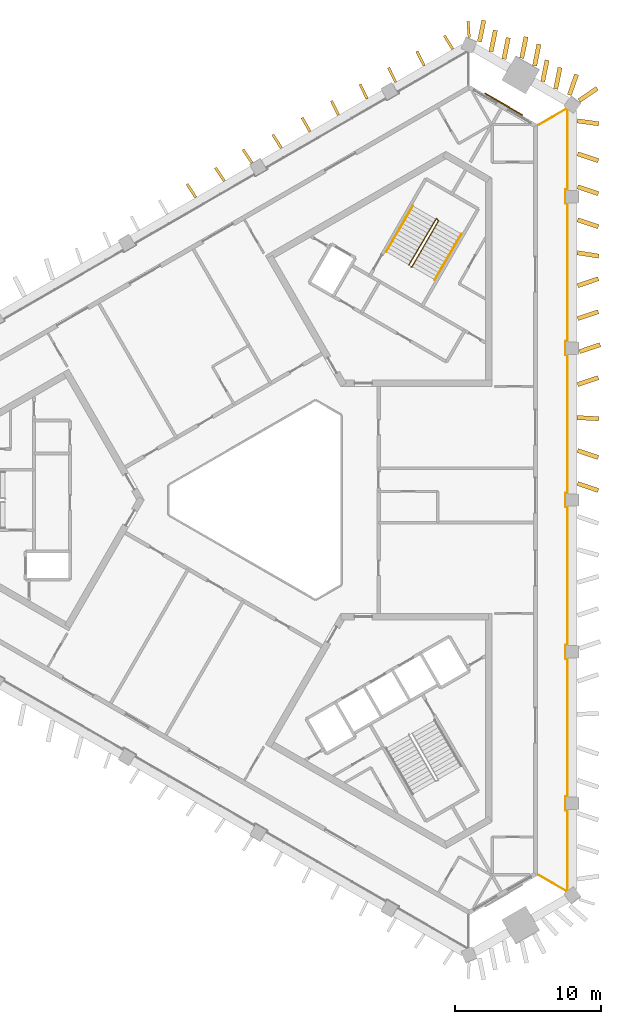
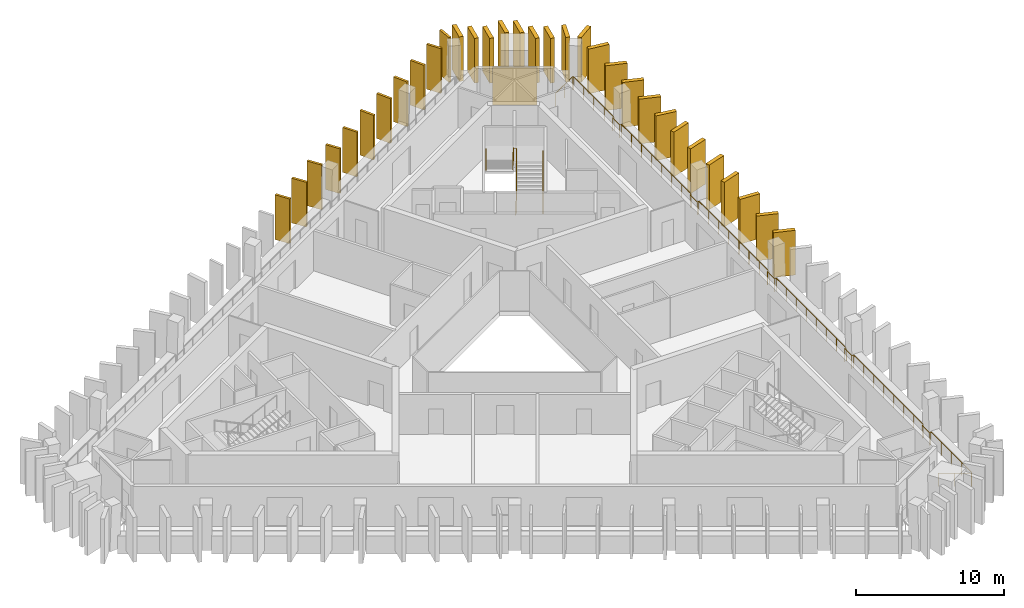
# One storey, part 9 of 9: 32 shading devices, 4 railings, 1 covering.
"""IFC4 building model written with IfcOpenShell, lengths in metres."""

from ifc_helpers import new_model, si_unit, direction, frame, frame_2d, origin, origin_2d, place, context, subcontext, project, spatial, rectangle, circle, extrude, material, layer, layer_set, type_object, element, save


model = new_model("IFC4")

# Units and contexts
model_context = context("Model", 3, precision=1e-05, world=origin(), true_north=direction((0.0, 1.0)))
body_context = subcontext(model_context, "Body", "Model", "MODEL_VIEW")
ifc_project = project(units=[si_unit("LENGTHUNIT", "METRE"), si_unit("AREAUNIT", "SQUARE_METRE"), si_unit("VOLUMEUNIT", "CUBIC_METRE"), si_unit("PLANEANGLEUNIT", "RADIAN"), si_unit("MASSUNIT", "GRAM", prefix="KILO")], contexts=[model_context])

# Site, building, storey
site_placement = place(None, origin())
site = spatial("IfcSite", under=ifc_project, at=site_placement, CompositionType="ELEMENT")
building_placement = place(site_placement, origin())
building = spatial("IfcBuilding", under=site, at=building_placement, Name="Jabali Bay Hotel Tower and Convention Centre", CompositionType="ELEMENT")
storey_placement = place(building_placement, frame((0.0, 0.0, 209.5)))
storey = spatial("IfcBuildingStorey", under=building, at=storey_placement, Name="L51", CompositionType="ELEMENT", Elevation=209.5)

# Railing
ifc_material_1 = material(Name="Glass", Category="glass")
railing_type_1 = type_object("IfcRailingType", Name="Loggia glass guard 1100", PredefinedType="BALUSTRADE", material=ifc_material_1)
railing_1_placement = place(storey_placement, frame((93.076171875, 105.760986328125, 0.0)))
element("IfcRailing", 1, at=railing_1_placement, inside=storey, type_object=railing_type_1, Name="Loggia glass guard L51", PredefinedType="BALUSTRADE", context=body_context, shape_type="SweptSolid", body=[
    extrude(circle(Radius=0.02490234375, at=origin_2d()), frame((0.0, 0.0, 1.0751953125), z_axis=(0.866055336752, 0.499948150995, 0.0), x_axis=(-0.495671025257, 0.858646113288, 0.13052619222)), (0.0, 0.0, 1.0), 2.247314453125),
    extrude(circle(Radius=0.02490234375, at=origin_2d()), frame((1.9462890625, 1.12353515625, 1.0751953125), z_axis=(0.8, -0.6, 0.0), x_axis=(0.594866916824, 0.793155889099, 0.13052619222)), (0.0, 0.0, 1.0), 0.067138671875),
    extrude(circle(Radius=0.02490234375, at=origin_2d()), frame((2.0, 1.083251953125, 1.0751953125), z_axis=(0.0, -1.0, 0.0), x_axis=(0.991444861374, 0.0, 0.13052619222)), (0.0, 0.0, 1.0), 5.517822265625),
    extrude(circle(Radius=0.02490234375, at=origin_2d()), frame((2.0, -4.4345703125, 1.0751953125), z_axis=(-1.0, 0.0, 0.0), x_axis=(0.0, -0.991444861374, 0.13052619222)), (0.0, 0.0, 1.0), 0.125),
    extrude(circle(Radius=0.02490234375, at=origin_2d()), frame((1.875, -4.4345703125, 1.0751953125), z_axis=(0.0, -1.0, 0.0), x_axis=(0.991444861374, 0.0, 0.13052619222)), (0.0, 0.0, 1.0), 0.949951171875),
    extrude(circle(Radius=0.02490234375, at=origin_2d()), frame((1.875, -5.384521484375, 1.0751953125), z_axis=(1.0, 0.0, 0.0), x_axis=(0.0, 0.991444861374, 0.13052619222)), (0.0, 0.0, 1.0), 0.125),
    extrude(circle(Radius=0.02490234375, at=origin_2d()), frame((2.0, -5.384521484375, 1.0751953125), z_axis=(0.0, -1.0, 0.0), x_axis=(0.991444861374, 0.0, 0.13052619222)), (0.0, 0.0, 1.0), 9.475830078125),
    extrude(circle(Radius=0.02490234375, at=origin_2d()), frame((2.0, -14.8603515625, 1.0751953125), z_axis=(-1.0, 0.0, 0.0), x_axis=(0.0, -0.991444861374, 0.13052619222)), (0.0, 0.0, 1.0), 0.125),
    extrude(circle(Radius=0.02490234375, at=origin_2d()), frame((1.875, -14.8603515625, 1.0751953125), z_axis=(0.0, -1.0, 0.0), x_axis=(0.991444861374, 0.0, 0.13052619222)), (0.0, 0.0, 1.0), 0.949951171875),
    extrude(circle(Radius=0.02490234375, at=origin_2d()), frame((1.875, -15.810302734375, 1.0751953125), z_axis=(1.0, 0.0, 0.0), x_axis=(0.0, 0.991444861374, 0.13052619222)), (0.0, 0.0, 1.0), 0.125),
    extrude(circle(Radius=0.02490234375, at=origin_2d()), frame((2.0, -15.810302734375, 1.0751953125), z_axis=(0.0, -1.0, 0.0), x_axis=(0.991444861374, 0.0, 0.13052619222)), (0.0, 0.0, 1.0), 9.4755859375),
    extrude(circle(Radius=0.02490234375, at=origin_2d()), frame((2.0, -25.285888671875, 1.0751953125), z_axis=(-1.0, 0.0, 0.0), x_axis=(0.0, -0.991444861374, 0.13052619222)), (0.0, 0.0, 1.0), 0.125),
    extrude(circle(Radius=0.02490234375, at=origin_2d()), frame((1.875, -25.285888671875, 1.0751953125), z_axis=(0.0, -1.0, 0.0), x_axis=(0.991444861374, 0.0, 0.13052619222)), (0.0, 0.0, 1.0), 0.9501953125),
    extrude(circle(Radius=0.02490234375, at=origin_2d()), frame((1.875, -26.236083984375, 1.0751953125), z_axis=(1.0, 0.0, 0.0), x_axis=(0.0, 0.991444861374, 0.13052619222)), (0.0, 0.0, 1.0), 0.125),
    extrude(circle(Radius=0.02490234375, at=origin_2d()), frame((2.0, -26.236083984375, 1.0751953125), z_axis=(0.0, -1.0, 0.0), x_axis=(0.991444861374, 0.0, 0.13052619222)), (0.0, 0.0, 1.0), 9.4755859375),
    extrude(circle(Radius=0.02490234375, at=origin_2d()), frame((2.0, -35.711669921875, 1.0751953125), z_axis=(-1.0, 0.0, 0.0), x_axis=(0.0, -0.991444861374, 0.13052619222)), (0.0, 0.0, 1.0), 0.125),
    extrude(circle(Radius=0.02490234375, at=origin_2d()), frame((1.875, -35.711669921875, 1.0751953125), z_axis=(0.0, -1.0, 0.0), x_axis=(0.991444861374, 0.0, 0.13052619222)), (0.0, 0.0, 1.0), 0.949951171875),
    extrude(circle(Radius=0.02490234375, at=origin_2d()), frame((1.875, -36.66162109375, 1.0751953125), z_axis=(1.0, 0.0, 0.0), x_axis=(0.0, 0.991444861374, 0.13052619222)), (0.0, 0.0, 1.0), 0.125),
    extrude(circle(Radius=0.02490234375, at=origin_2d()), frame((2.0, -36.66162109375, 1.0751953125), z_axis=(0.0, -1.0, 0.0), x_axis=(0.991444861374, 0.0, 0.13052619222)), (0.0, 0.0, 1.0), 9.475830078125),
    extrude(circle(Radius=0.02490234375, at=origin_2d()), frame((2.0, -46.137451171875, 1.0751953125), z_axis=(-1.0, 0.0, 0.0), x_axis=(0.0, -0.991444861374, 0.13052619222)), (0.0, 0.0, 1.0), 0.125),
    extrude(circle(Radius=0.02490234375, at=origin_2d()), frame((1.875, -46.137451171875, 1.0751953125), z_axis=(0.0, -1.0, 0.0), x_axis=(0.991444861374, 0.0, 0.13052619222)), (0.0, 0.0, 1.0), 0.949951171875),
    extrude(circle(Radius=0.02490234375, at=origin_2d()), frame((1.875, -47.08740234375, 1.0751953125), z_axis=(1.0, 0.0, 0.0), x_axis=(0.0, 0.991444861374, 0.13052619222)), (0.0, 0.0, 1.0), 0.125),
    extrude(circle(Radius=0.02490234375, at=origin_2d()), frame((2.0, -47.08740234375, 1.0751953125), z_axis=(0.0, -1.0, 0.0), x_axis=(0.991444861374, 0.0, 0.13052619222)), (0.0, 0.0, 1.0), 5.517822265625),
    extrude(circle(Radius=0.02490234375, at=origin_2d()), frame((2.0, -52.605224609375, 1.0751953125), z_axis=(-0.8, -0.6, 0.0), x_axis=(0.594866916824, -0.793155889099, 0.13052619222)), (0.0, 0.0, 1.0), 0.067138671875),
    extrude(circle(Radius=0.02490234375, at=origin_2d()), frame((1.9462890625, -52.6455078125, 1.0751953125), z_axis=(-0.866055336752, 0.499948150995, 0.0), x_axis=(-0.495671025257, -0.858646113288, 0.13052619222)), (0.0, 0.0, 1.0), 2.247314453125),
    extrude(circle(Radius=0.02001953125, at=origin_2d()), origin(), (0.0, 0.0, 1.0), 1.050048828125),
    extrude(circle(Radius=0.02001953125, at=origin_2d()), frame((0.97314453125, 0.561767578125, 0.0)), (0.0, 0.0, 1.0), 1.050048828125),
    extrude(circle(Radius=0.02001953125, at=origin_2d()), frame((1.9462890625, 1.12353515625, 0.0)), (0.0, 0.0, 1.0), 1.050048828125),
    extrude(circle(Radius=0.02001953125, at=origin_2d()), frame((2.0, 1.083251953125, 0.0)), (0.0, 0.0, 1.0), 1.050048828125),
    extrude(circle(Radius=0.02001953125, at=origin_2d()), frame((2.0, -0.296142578125, 0.0)), (0.0, 0.0, 1.0), 1.050048828125),
    extrude(circle(Radius=0.02001953125, at=origin_2d()), frame((2.0, -1.67578125, 0.0)), (0.0, 0.0, 1.0), 1.050048828125),
    extrude(circle(Radius=0.02001953125, at=origin_2d()), frame((2.0, -3.05517578125, 0.0)), (0.0, 0.0, 1.0), 1.050048828125),
    extrude(circle(Radius=0.02001953125, at=origin_2d()), frame((2.0, -4.4345703125, 0.0)), (0.0, 0.0, 1.0), 1.050048828125),
    extrude(circle(Radius=0.02001953125, at=origin_2d()), frame((1.875, -4.4345703125, 0.0)), (0.0, 0.0, 1.0), 1.050048828125),
    extrude(circle(Radius=0.02001953125, at=origin_2d()), frame((1.875, -5.384521484375, 0.0)), (0.0, 0.0, 1.0), 1.050048828125),
    extrude(circle(Radius=0.02001953125, at=origin_2d()), frame((2.0, -5.384521484375, 0.0)), (0.0, 0.0, 1.0), 1.050048828125),
    extrude(circle(Radius=0.02001953125, at=origin_2d()), frame((2.0, -6.73828125, 0.0)), (0.0, 0.0, 1.0), 1.050048828125),
    extrude(circle(Radius=0.02001953125, at=origin_2d()), frame((2.0, -8.091796875, 0.0)), (0.0, 0.0, 1.0), 1.050048828125),
    extrude(circle(Radius=0.02001953125, at=origin_2d()), frame((2.0, -9.445556640625, 0.0)), (0.0, 0.0, 1.0), 1.050048828125),
    extrude(circle(Radius=0.02001953125, at=origin_2d()), frame((2.0, -10.79931640625, 0.0)), (0.0, 0.0, 1.0), 1.050048828125),
    extrude(circle(Radius=0.02001953125, at=origin_2d()), frame((2.0, -12.153076171875, 0.0)), (0.0, 0.0, 1.0), 1.050048828125),
    extrude(circle(Radius=0.02001953125, at=origin_2d()), frame((2.0, -13.506591796875, 0.0)), (0.0, 0.0, 1.0), 1.050048828125),
    extrude(circle(Radius=0.02001953125, at=origin_2d()), frame((2.0, -14.8603515625, 0.0)), (0.0, 0.0, 1.0), 1.050048828125),
    extrude(circle(Radius=0.02001953125, at=origin_2d()), frame((1.875, -14.8603515625, 0.0)), (0.0, 0.0, 1.0), 1.050048828125),
    extrude(circle(Radius=0.02001953125, at=origin_2d()), frame((1.875, -15.810302734375, 0.0)), (0.0, 0.0, 1.0), 1.050048828125),
    extrude(circle(Radius=0.02001953125, at=origin_2d()), frame((2.0, -15.810302734375, 0.0)), (0.0, 0.0, 1.0), 1.050048828125),
    extrude(circle(Radius=0.02001953125, at=origin_2d()), frame((2.0, -17.1640625, 0.0)), (0.0, 0.0, 1.0), 1.050048828125),
    extrude(circle(Radius=0.02001953125, at=origin_2d()), frame((2.0, -18.517578125, 0.0)), (0.0, 0.0, 1.0), 1.050048828125),
    extrude(circle(Radius=0.02001953125, at=origin_2d()), frame((2.0, -19.871337890625, 0.0)), (0.0, 0.0, 1.0), 1.050048828125),
    extrude(circle(Radius=0.02001953125, at=origin_2d()), frame((2.0, -21.224853515625, 0.0)), (0.0, 0.0, 1.0), 1.050048828125),
    extrude(circle(Radius=0.02001953125, at=origin_2d()), frame((2.0, -22.57861328125, 0.0)), (0.0, 0.0, 1.0), 1.050048828125),
    extrude(circle(Radius=0.02001953125, at=origin_2d()), frame((2.0, -23.93212890625, 0.0)), (0.0, 0.0, 1.0), 1.050048828125),
    extrude(circle(Radius=0.02001953125, at=origin_2d()), frame((2.0, -25.285888671875, 0.0)), (0.0, 0.0, 1.0), 1.050048828125),
    extrude(circle(Radius=0.02001953125, at=origin_2d()), frame((1.875, -25.285888671875, 0.0)), (0.0, 0.0, 1.0), 1.050048828125),
    extrude(circle(Radius=0.02001953125, at=origin_2d()), frame((1.875, -26.236083984375, 0.0)), (0.0, 0.0, 1.0), 1.050048828125),
    extrude(circle(Radius=0.02001953125, at=origin_2d()), frame((2.0, -26.236083984375, 0.0)), (0.0, 0.0, 1.0), 1.050048828125),
    extrude(circle(Radius=0.02001953125, at=origin_2d()), frame((2.0, -27.58984375, 0.0)), (0.0, 0.0, 1.0), 1.050048828125),
    extrude(circle(Radius=0.02001953125, at=origin_2d()), frame((2.0, -28.943359375, 0.0)), (0.0, 0.0, 1.0), 1.050048828125),
    extrude(circle(Radius=0.02001953125, at=origin_2d()), frame((2.0, -30.297119140625, 0.0)), (0.0, 0.0, 1.0), 1.050048828125),
    extrude(circle(Radius=0.02001953125, at=origin_2d()), frame((2.0, -31.650634765625, 0.0)), (0.0, 0.0, 1.0), 1.050048828125),
    extrude(circle(Radius=0.02001953125, at=origin_2d()), frame((2.0, -33.00439453125, 0.0)), (0.0, 0.0, 1.0), 1.050048828125),
    extrude(circle(Radius=0.02001953125, at=origin_2d()), frame((2.0, -34.35791015625, 0.0)), (0.0, 0.0, 1.0), 1.050048828125),
    extrude(circle(Radius=0.02001953125, at=origin_2d()), frame((2.0, -35.711669921875, 0.0)), (0.0, 0.0, 1.0), 1.050048828125),
    extrude(circle(Radius=0.02001953125, at=origin_2d()), frame((1.875, -35.711669921875, 0.0)), (0.0, 0.0, 1.0), 1.050048828125),
    extrude(circle(Radius=0.02001953125, at=origin_2d()), frame((1.875, -36.66162109375, 0.0)), (0.0, 0.0, 1.0), 1.050048828125),
    extrude(circle(Radius=0.02001953125, at=origin_2d()), frame((2.0, -36.66162109375, 0.0)), (0.0, 0.0, 1.0), 1.050048828125),
    extrude(circle(Radius=0.02001953125, at=origin_2d()), frame((2.0, -38.015380859375, 0.0)), (0.0, 0.0, 1.0), 1.050048828125),
    extrude(circle(Radius=0.02001953125, at=origin_2d()), frame((2.0, -39.368896484375, 0.0)), (0.0, 0.0, 1.0), 1.050048828125),
    extrude(circle(Radius=0.02001953125, at=origin_2d()), frame((2.0, -40.72265625, 0.0)), (0.0, 0.0, 1.0), 1.050048828125),
    extrude(circle(Radius=0.02001953125, at=origin_2d()), frame((2.0, -42.076416015625, 0.0)), (0.0, 0.0, 1.0), 1.050048828125),
    extrude(circle(Radius=0.02001953125, at=origin_2d()), frame((2.0, -43.43017578125, 0.0)), (0.0, 0.0, 1.0), 1.050048828125),
    extrude(circle(Radius=0.02001953125, at=origin_2d()), frame((2.0, -44.78369140625, 0.0)), (0.0, 0.0, 1.0), 1.050048828125),
    extrude(circle(Radius=0.02001953125, at=origin_2d()), frame((2.0, -46.137451171875, 0.0)), (0.0, 0.0, 1.0), 1.050048828125),
    extrude(circle(Radius=0.02001953125, at=origin_2d()), frame((1.875, -46.137451171875, 0.0)), (0.0, 0.0, 1.0), 1.050048828125),
    extrude(circle(Radius=0.02001953125, at=origin_2d()), frame((1.875, -47.08740234375, 0.0)), (0.0, 0.0, 1.0), 1.050048828125),
    extrude(circle(Radius=0.02001953125, at=origin_2d()), frame((2.0, -47.08740234375, 0.0)), (0.0, 0.0, 1.0), 1.050048828125),
    extrude(circle(Radius=0.02001953125, at=origin_2d()), frame((2.0, -48.466796875, 0.0)), (0.0, 0.0, 1.0), 1.050048828125),
    extrude(circle(Radius=0.02001953125, at=origin_2d()), frame((2.0, -49.84619140625, 0.0)), (0.0, 0.0, 1.0), 1.050048828125),
    extrude(circle(Radius=0.02001953125, at=origin_2d()), frame((2.0, -51.225830078125, 0.0)), (0.0, 0.0, 1.0), 1.050048828125),
    extrude(circle(Radius=0.02001953125, at=origin_2d()), frame((2.0, -52.605224609375, 0.0)), (0.0, 0.0, 1.0), 1.050048828125),
    extrude(circle(Radius=0.02001953125, at=origin_2d()), frame((1.9462890625, -52.6455078125, 0.0)), (0.0, 0.0, 1.0), 1.050048828125),
    extrude(circle(Radius=0.02001953125, at=origin_2d()), frame((0.97314453125, -52.083740234375, 0.0)), (0.0, 0.0, 1.0), 1.050048828125),
    extrude(circle(Radius=0.02001953125, at=origin_2d()), frame((0.0, -51.52197265625, 0.0)), (0.0, 0.0, 1.0), 1.050048828125),
])

# Shading devices
ifc_material_2 = material(Name="Precast concrete C60", Category="concrete")
ifc_layer_1 = layer(ifc_material_2, 0.179931640625)
ifc_layer_set_1 = layer_set([ifc_layer_1], Name="Precast concrete C60")
shading_device_type_1 = type_object("IfcShadingDeviceType", Name="Precast fin 3680 x 1100", PredefinedType="USERDEFINED", material=ifc_layer_set_1)
for number, where, z_axis, x_axis, name in (
    (2, (87.193359375, 110.966796875, 0.010009765625), (0.0, 0.0, 1.0), (-0.526942875505, 0.849900703585, 0.0), "Fin L51 032"),
    (3, (85.231201171875, 109.8359375, 0.010009765625), (0.0, 0.0, 1.0), (-0.456600533863, 0.889671822908, 0.0), "Fin L51 033"),
):
    element("IfcShadingDevice", number, at=place(storey_placement, frame(where, z_axis=z_axis, x_axis=x_axis)), inside=storey, type_object=shading_device_type_1, Name=name, ObjectType="FIN", PredefinedType="USERDEFINED", context=body_context, shape_type="SweptSolid", body=[
        extrude(rectangle(XDim=1.099853515625, YDim=0.179931640625, at=frame_2d((0.5498046875, 0.0))), origin(), (0.0, 0.0, 1.0), 3.679931640625),
    ])
for number, where, z_axis, x_axis, name in (
    (4, (83.269287109375, 108.704833984375, 0.010009765625), (0.0, 0.0, 1.0), (-0.441879146179, 0.897074590083, 0.0), "Fin L51 034"),
    (5, (81.30810546875, 107.572509765625, 0.010009765625), (0.0, 0.0, 1.0), (-0.442324275547, 0.896855191914, 0.0), "Fin L51 035"),
):
    element("IfcShadingDevice", number, at=place(storey_placement, frame(where, z_axis=z_axis, x_axis=x_axis)), inside=storey, type_object=shading_device_type_1, Name=name, ObjectType="FIN", PredefinedType="USERDEFINED", context=body_context, shape_type="SweptSolid", body=[
        extrude(rectangle(XDim=1.10009765625, YDim=0.179931640625, at=frame_2d((0.550048828125, 0.0))), origin(), (0.0, 0.0, 1.0), 3.679931640625),
    ])
for number, where, z_axis, x_axis, name in (
    (6, (79.346923828125, 106.440185546875, 0.010009765625), (0.0, 0.0, 1.0), (-0.442590842644, 0.896723673161, 0.0), "Fin L51 036"),
    (7, (77.38818359375, 105.303466796875, 0.010009765625), (0.0, 0.0, 1.0), (-0.492788525211, 0.870149107579, 0.0), "Fin L51 037"),
):
    element("IfcShadingDevice", number, at=place(storey_placement, frame(where, z_axis=z_axis, x_axis=x_axis)), inside=storey, type_object=shading_device_type_1, Name=name, ObjectType="FIN", PredefinedType="USERDEFINED", context=body_context, shape_type="SweptSolid", body=[
        extrude(rectangle(XDim=1.099853515625, YDim=0.179931640625, at=frame_2d((0.5498046875, 0.0))), origin(), (0.0, 0.0, 1.0), 3.679931640625),
    ])
for number, where, z_axis, x_axis, name in (
    (8, (75.42529296875, 104.17431640625, 0.010009765625), (0.0, 0.0, 1.0), (-0.54302122595, 0.839718969756, 0.0), "Fin L51 038"),
    (9, (73.39697265625, 103.157958984375, 0.010009765625), (0.0, 0.0, 1.0), (-0.555468147734, 0.831537814446, 0.0), "Fin L51 039"),
    (10, (71.501953125, 101.910888671875, 0.010009765625), (0.0, 0.0, 1.0), (-0.555724089154, 0.831366788327, 0.0), "Fin L51 040"),
    (11, (69.54150390625, 100.777587890625, 0.010009765625), (0.0, 0.0, 1.0), (-0.545035151824, 0.838413193644, 0.0), "Fin L51 041"),
):
    element("IfcShadingDevice", number, at=place(storey_placement, frame(where, z_axis=z_axis, x_axis=x_axis)), inside=storey, type_object=shading_device_type_1, Name=name, ObjectType="FIN", PredefinedType="USERDEFINED", context=body_context, shape_type="SweptSolid", body=[
        extrude(rectangle(XDim=1.10009765625, YDim=0.179931640625, at=frame_2d((0.550048828125, 0.0))), origin(), (0.0, 0.0, 1.0), 3.679931640625),
    ])
shading_device_1_placement = place(storey_placement, frame((88.321533203125, 111.783935546875, 0.010009765625), z_axis=(0.0, 0.0, 1.0), x_axis=(-0.074812023464, 0.997197654001, 0.0)))
element("IfcShadingDevice", 12, at=shading_device_1_placement, inside=storey, type_object=shading_device_type_1, Name="Fin L51 098", ObjectType="FIN", PredefinedType="USERDEFINED", context=body_context, shape_type="SweptSolid", body=[
    extrude(rectangle(XDim=1.099853515625, YDim=0.179931640625, at=frame_2d((0.5498046875, 0.0))), origin(), (0.0, 0.0, 1.0), 3.679931640625),
])
ifc_layer_2 = layer(ifc_material_2, 0.300048828125)
ifc_layer_set_2 = layer_set([ifc_layer_2], Name="Precast concrete C60")
shading_device_type_2 = type_object("IfcShadingDeviceType", Name="Precast fin 3680 x 1500", PredefinedType="USERDEFINED", material=ifc_layer_set_2)
for number, where, z_axis, x_axis, name in (
    (13, (95.76611328125, 81.13232421875, 0.010009765625), (0.0, 0.0, 1.0), (0.947981177855, -0.3183263835, 0.0), "Fin L51 012"),
    (14, (95.76611328125, 83.39697265625, 0.010009765625), (0.0, 0.0, 1.0), (0.947981177855, -0.3183263835, 0.0), "Fin L51 013"),
):
    element("IfcShadingDevice", number, at=place(storey_placement, frame(where, z_axis=z_axis, x_axis=x_axis)), inside=storey, type_object=shading_device_type_2, Name=name, ObjectType="FIN", PredefinedType="USERDEFINED", context=body_context, shape_type="SweptSolid", body=[
        extrude(rectangle(XDim=1.500244140625, YDim=0.300048828125, at=frame_2d((0.75, 0.0))), origin(), (0.0, 0.0, 1.0), 3.679931640625),
    ])
for number, where, z_axis, x_axis, name in (
    (15, (95.7265625, 85.66162109375, 0.010009765625), (0.0, 0.0, 1.0), (0.998530156832, -0.054198947388, 0.0), "Fin L51 014"),
    (16, (95.76611328125, 87.92626953125, 0.010009765625), (0.0, 0.0, 1.0), (0.948030279817, 0.318180119664, 0.0), "Fin L51 015"),
):
    element("IfcShadingDevice", number, at=place(storey_placement, frame(where, z_axis=z_axis, x_axis=x_axis)), inside=storey, type_object=shading_device_type_2, Name=name, ObjectType="FIN", PredefinedType="USERDEFINED", context=body_context, shape_type="SweptSolid", body=[
        extrude(rectangle(XDim=1.5, YDim=0.300048828125, at=frame_2d((0.75, 0.0))), origin(), (0.0, 0.0, 1.0), 3.679931640625),
    ])
for number, where, z_axis, x_axis, name in (
    (17, (95.898681640625, 90.190673828125, 0.010009765625), (0.0, 0.0, 1.0), (0.947981177855, 0.3183263835, 0.0), "Fin L51 016"),
    (18, (95.76611328125, 92.455322265625, 0.010009765625), (0.0, 0.0, 1.0), (0.947981177855, 0.3183263835, 0.0), "Fin L51 017"),
    (19, (95.76611328125, 94.719970703125, 0.010009765625), (0.0, 0.0, 1.0), (0.947981177855, 0.3183263835, 0.0), "Fin L51 018"),
    (20, (95.74169921875, 96.984619140625, 0.010009765625), (0.0, 0.0, 1.0), (0.987848585799, -0.155419340929, 0.0), "Fin L51 019"),
):
    element("IfcShadingDevice", number, at=place(storey_placement, frame(where, z_axis=z_axis, x_axis=x_axis)), inside=storey, type_object=shading_device_type_2, Name=name, ObjectType="FIN", PredefinedType="USERDEFINED", context=body_context, shape_type="SweptSolid", body=[
        extrude(rectangle(XDim=1.500244140625, YDim=0.300048828125, at=frame_2d((0.75, 0.0))), origin(), (0.0, 0.0, 1.0), 3.679931640625),
    ])
for number, where, z_axis, x_axis, name in (
    (21, (95.76611328125, 99.249267578125, 0.010009765625), (0.0, 0.0, 1.0), (0.948079364295, -0.318033833104, 0.0), "Fin L51 020"),
    (22, (95.76611328125, 101.513916015625, 0.010009765625), (0.0, 0.0, 1.0), (0.948357290994, -0.317204111918, 0.0), "Fin L51 021"),
    (23, (95.765625, 103.778564453125, 0.010009765625), (0.0, 0.0, 1.0), (0.949542396841, -0.313638703927, 0.0), "Fin L51 022"),
):
    element("IfcShadingDevice", number, at=place(storey_placement, frame(where, z_axis=z_axis, x_axis=x_axis)), inside=storey, type_object=shading_device_type_2, Name=name, ObjectType="FIN", PredefinedType="USERDEFINED", context=body_context, shape_type="SweptSolid", body=[
        extrude(rectangle(XDim=1.5, YDim=0.300048828125, at=frame_2d((0.75, 0.0))), origin(), (0.0, 0.0, 1.0), 3.679931640625),
    ])
shading_device_2_placement = place(storey_placement, frame((95.73876953125, 106.043212890625, 0.010009765625), z_axis=(0.0, 0.0, 1.0), x_axis=(0.990768666407, -0.135563452549, 0.0)))
element("IfcShadingDevice", 24, at=shading_device_2_placement, inside=storey, type_object=shading_device_type_2, Name="Fin L51 023", ObjectType="FIN", PredefinedType="USERDEFINED", context=body_context, shape_type="SweptSolid", body=[
    extrude(rectangle(XDim=1.500244140625, YDim=0.300048828125, at=frame_2d((0.75, 0.0))), origin(), (0.0, 0.0, 1.0), 3.679931640625),
])
for number, where, z_axis, x_axis, name in (
    (25, (95.205078125, 107.818115234375, 0.010009765625), (0.0, 0.0, 1.0), (0.330886856276, 0.943670434179, 0.0), "Fin L51 024"),
    (26, (94.26123046875, 108.234130859375, 0.010009765625), (0.0, 0.0, 1.0), (0.198400456872, 0.980121042889, 0.0), "Fin L51 025"),
    (27, (93.373291015625, 108.746826171875, 0.010009765625), (0.0, 0.0, 1.0), (0.198244099119, 0.980152680537, 0.0), "Fin L51 026"),
    (28, (92.81640625, 109.83349609375, 0.010009765625), (0.0, 0.0, 1.0), (0.198400456872, 0.980121042889, 0.0), "Fin L51 027"),
    (29, (91.928466796875, 110.34619140625, 0.010009765625), (0.0, 0.0, 1.0), (0.198244099119, 0.980152680537, 0.0), "Fin L51 028"),
    (30, (90.708984375, 110.28515625, 0.010009765625), (0.0, 0.0, 1.0), (0.198400456872, 0.980121042889, 0.0), "Fin L51 029"),
    (31, (89.821044921875, 110.7978515625, 0.010009765625), (0.0, 0.0, 1.0), (0.198244099119, 0.980152680537, 0.0), "Fin L51 030"),
    (32, (89.02587890625, 111.4716796875, 0.010009765625), (0.0, 0.0, 1.0), (0.198400456872, 0.980121042889, 0.0), "Fin L51 031"),
    (33, (95.871337890625, 107.4326171875, 0.010009765625), (0.0, 0.0, 1.0), (0.826347846585, 0.563160045142, 0.0), "Fin L51 097"),
):
    element("IfcShadingDevice", number, at=place(storey_placement, frame(where, z_axis=z_axis, x_axis=x_axis)), inside=storey, type_object=shading_device_type_2, Name=name, ObjectType="FIN", PredefinedType="USERDEFINED", context=body_context, shape_type="SweptSolid", body=[
        extrude(rectangle(XDim=1.5, YDim=0.300048828125, at=frame_2d((0.75, 0.0))), origin(), (0.0, 0.0, 1.0), 3.679931640625),
    ])

# Covering
ifc_material_3 = material(Name="Precast concrete C40/50", Category="concrete")
ifc_layer_3 = layer(ifc_material_3, 0.080078125)
ifc_layer_set_3 = layer_set([ifc_layer_3], Name="Precast concrete C40/50")
covering_type = type_object("IfcCoveringType", Name="Relief panel 3000 x 3100", PredefinedType="CLADDING", material=ifc_layer_set_3)
covering_placement = place(storey_placement, frame((90.69384765625, 107.1826171875, 0.099853515625), z_axis=(0.0, 0.0, 1.0), x_axis=(0.866025388277, -0.500000026859, 0.0)))
element("IfcCovering", 34, at=covering_placement, inside=storey, type_object=covering_type, Name="Relief panel L51", PredefinedType="CLADDING", context=body_context, shape_type="SweptSolid", body=[
    extrude(rectangle(XDim=3.0, YDim=0.080078125, at=origin_2d()), origin(), (0.0, 0.0, 1.0), 3.10009765625),
])

# Railings
ifc_material_4 = material(Name="Steel Q355B", Category="steel")
railing_type_2 = type_object("IfcRailingType", Name="Stair guard 1100", PredefinedType="GUARDRAIL", material=ifc_material_4)
railing_2_placement = place(storey_placement, frame((84.329833984375, 96.010009765625, 0.0)))
element("IfcRailing", 35, at=railing_2_placement, inside=storey, type_object=railing_type_2, Name="L51 ST2 stair guard 1", PredefinedType="GUARDRAIL", context=body_context, shape_type="SweptSolid", body=[
    extrude(circle(Radius=0.02392578125, at=origin_2d()), frame((0.0, 0.0, 1.076171875), z_axis=(0.456201556387, 0.122196845461, 0.881446578591), x_axis=(-0.258736085224, 0.965948051503, 0.0)), (0.0, 0.0, 1.0), 0.14990234375),
    extrude(circle(Radius=0.02392578125, at=origin_2d()), frame((0.068359375, 0.018310546875, 1.2080078125), z_axis=(0.45217862506, 0.783169739339, 0.426825081763), x_axis=(-0.866018046521, 0.500012742938, 0.0)), (0.0, 0.0, 1.0), 4.025146484375),
    extrude(circle(Radius=0.02392578125, at=origin_2d()), frame((1.888427734375, 3.170654296875, 2.92626953125), z_axis=(-0.718850276695, 0.695164929852, 0.0), x_axis=(-0.695164929852, -0.718850276695, 0.0)), (0.0, 0.0, 1.0), 0.2060546875),
    extrude(circle(Radius=0.02392578125, at=origin_2d()), frame((1.740234375, 3.31396484375, 2.92626953125), z_axis=(-0.457457462341, -0.768067235091, 0.448113147015), x_axis=(0.859157857954, -0.511710636118, 0.0)), (0.0, 0.0, 1.0), 4.128173828125),
    extrude(circle(Radius=0.02099609375, at=origin_2d()), origin(), (0.0, 0.0, 1.0), 1.052001953125),
    extrude(circle(Radius=0.02099609375, at=origin_2d()), frame((0.068359375, 0.018310546875, 0.132080078125)), (0.0, 0.0, 1.0), 1.052001953125),
    extrude(circle(Radius=0.02099609375, at=origin_2d()), frame((0.5234375, 0.806396484375, 0.5615234375)), (0.0, 0.0, 1.0), 1.052001953125),
    extrude(circle(Radius=0.02099609375, at=origin_2d()), frame((0.978515625, 1.594482421875, 0.9912109375)), (0.0, 0.0, 1.0), 1.052001953125),
    extrude(circle(Radius=0.02099609375, at=origin_2d()), frame((1.433349609375, 2.382568359375, 1.420654296875)), (0.0, 0.0, 1.0), 1.052001953125),
    extrude(circle(Radius=0.02099609375, at=origin_2d()), frame((1.888427734375, 3.170654296875, 1.85009765625)), (0.0, 0.0, 1.0), 1.052001953125),
    extrude(circle(Radius=0.02099609375, at=origin_2d()), frame((1.740234375, 3.31396484375, 1.85009765625)), (0.0, 0.0, 1.0), 1.052001953125),
    extrude(circle(Radius=0.02099609375, at=origin_2d()), frame((1.26806640625, 2.521240234375, 2.3125)), (0.0, 0.0, 1.0), 1.052001953125),
    extrude(circle(Radius=0.02099609375, at=origin_2d()), frame((0.7958984375, 1.728515625, 2.77490234375)), (0.0, 0.0, 1.0), 1.052001953125),
    extrude(circle(Radius=0.02099609375, at=origin_2d()), frame((0.323974609375, 0.93603515625, 3.237548828125)), (0.0, 0.0, 1.0), 1.052001953125),
    extrude(circle(Radius=0.02099609375, at=origin_2d()), frame((-0.148193359375, 0.143310546875, 3.699951171875)), (0.0, 0.0, 1.0), 1.052001953125),
])
railing_type_3 = type_object("IfcRailingType", Name="Stair handrail 900", PredefinedType="HANDRAIL", material=ifc_material_4)
railing_3_placement = place(storey_placement, frame((85.95703125, 95.128173828125, 0.132080078125)))
element("IfcRailing", 36, at=railing_3_placement, inside=storey, type_object=railing_type_3, Name="L51 ST2 stair handrail 1", PredefinedType="HANDRAIL", context=body_context, shape_type="SweptSolid", body=[
    extrude(circle(Radius=0.02392578125, at=origin_2d()), frame((0.0, 0.0, 0.8759765625), z_axis=(0.45217862506, 0.783169739339, 0.426825081763), x_axis=(-0.866018046521, 0.500012742938, 0.0)), (0.0, 0.0, 1.0), 4.025146484375),
    extrude(circle(Radius=0.02099609375, at=origin_2d()), origin(), (0.0, 0.0, 1.0), 0.851806640625),
    extrude(circle(Radius=0.02099609375, at=origin_2d()), frame((0.455078125, 0.7880859375, 0.429443359375)), (0.0, 0.0, 1.0), 0.851806640625),
    extrude(circle(Radius=0.02099609375, at=origin_2d()), frame((0.91015625, 1.576171875, 0.85888671875)), (0.0, 0.0, 1.0), 0.851806640625),
    extrude(circle(Radius=0.02099609375, at=origin_2d()), frame((1.364990234375, 2.3642578125, 1.28857421875)), (0.0, 0.0, 1.0), 0.851806640625),
    extrude(circle(Radius=0.02099609375, at=origin_2d()), frame((1.820068359375, 3.15234375, 1.718017578125)), (0.0, 0.0, 1.0), 0.851806640625),
])
railing_4_placement = place(storey_placement, frame((84.44287109375, 100.20556640625, 1.982177734375)))
element("IfcRailing", 37, at=railing_4_placement, inside=storey, type_object=railing_type_3, Name="L51 ST2 stair handrail 2", PredefinedType="HANDRAIL", context=body_context, shape_type="SweptSolid", body=[
    extrude(circle(Radius=0.02392578125, at=origin_2d()), frame((0.0, 0.0, 0.8759765625), z_axis=(-0.452190331055, -0.783190014029, 0.426775475427), x_axis=(0.866018046521, -0.500012742938, 0.0)), (0.0, 0.0, 1.0), 4.02490234375),
    extrude(circle(Radius=0.02099609375, at=origin_2d()), origin(), (0.0, 0.0, 1.0), 0.851806640625),
    extrude(circle(Radius=0.02099609375, at=origin_2d()), frame((-0.455078125, -0.7880859375, 0.429443359375)), (0.0, 0.0, 1.0), 0.851806640625),
    extrude(circle(Radius=0.02099609375, at=origin_2d()), frame((-0.91015625, -1.576171875, 0.85888671875)), (0.0, 0.0, 1.0), 0.851806640625),
    extrude(circle(Radius=0.02099609375, at=origin_2d()), frame((-1.364990234375, -2.3642578125, 1.288330078125)), (0.0, 0.0, 1.0), 0.851806640625),
    extrude(circle(Radius=0.02099609375, at=origin_2d()), frame((-1.820068359375, -3.15234375, 1.7177734375)), (0.0, 0.0, 1.0), 0.851806640625),
])

save(model, "model.ifc")
